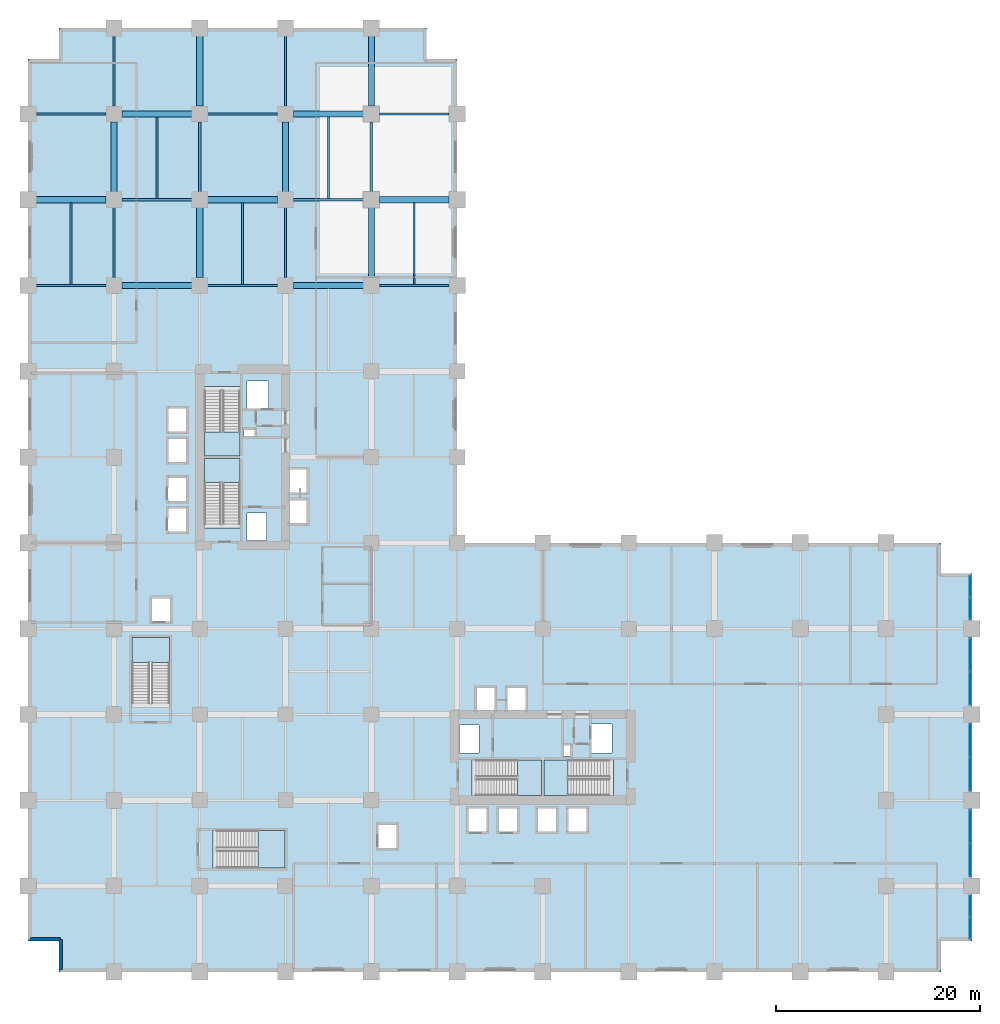
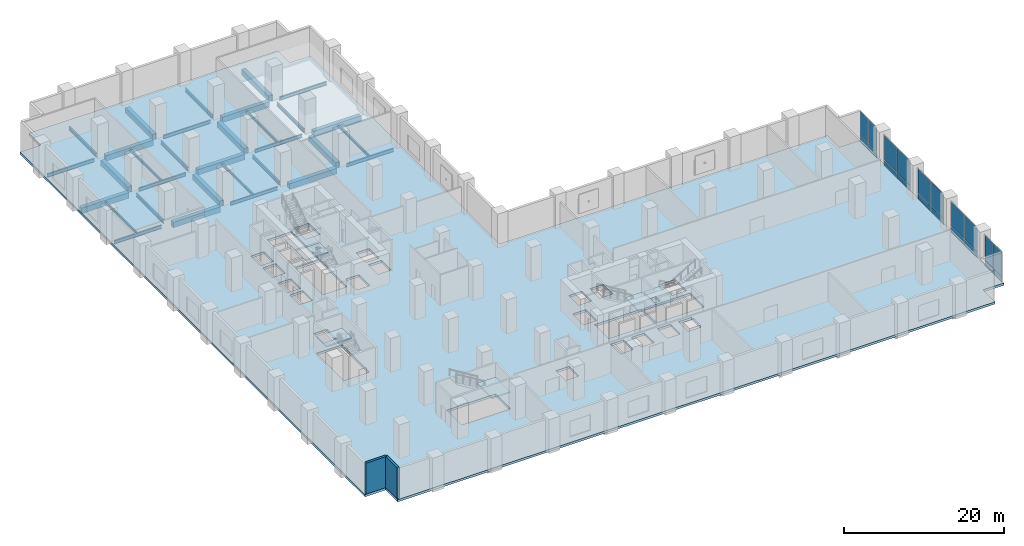
# One storey, part 8 of 23: 32 beams, 20 plates, 7 slabs, 2 walls, 11 elements without a shape of their own.
"""IFC4 building model written with IfcOpenShell, lengths in metres."""

from ifc_helpers import new_model, si_unit, direction, frame, frame_2d, origin, origin_2d, place, context, subcontext, project, spatial, polyline, rectangle, i_section, outline, extrude, material, layer, layer_set, material_profile, profile_set, type_object, element, aggregate, save


model = new_model("IFC4")

# Units and contexts
model_context = context("Model", 3, precision=1e-05, world=origin(), true_north=direction((0.0, 1.0)))
body_context = subcontext(model_context, "Body", "Model", "MODEL_VIEW")
ifc_project = project(units=[si_unit("LENGTHUNIT", "METRE"), si_unit("AREAUNIT", "SQUARE_METRE"), si_unit("VOLUMEUNIT", "CUBIC_METRE"), si_unit("PLANEANGLEUNIT", "RADIAN"), si_unit("MASSUNIT", "GRAM", prefix="KILO")], contexts=[model_context])

# Site, building, storey
site_placement = place(None, origin())
site = spatial("IfcSite", under=ifc_project, at=site_placement, CompositionType="ELEMENT")
building_placement = place(site_placement, origin())
building = spatial("IfcBuilding", under=site, at=building_placement, Name="Koriwani Terraces Tower", CompositionType="ELEMENT")
storey_placement = place(building_placement, frame((0.0, 0.0, 20.800048828125)))
storey = spatial("IfcBuildingStorey", under=building, at=storey_placement, Name="L04", CompositionType="ELEMENT", Elevation=20.800048828125)

# Beams
ifc_material_1 = material(Name="Concrete C60/75", Category="concrete")
ifc_material_profile_1 = material_profile(ifc_material_1, rectangle(XDim=0.60009765625, YDim=0.85009765625, at=origin_2d()), Name="Concrete C60/75", Category="LoadBearing")
ifc_profile_set_1 = profile_set([ifc_material_profile_1], Name="Concrete C60/75")
beam_type_1 = type_object("IfcBeamType", Name="BEAM_RC_GRID_600X850", PredefinedType="BEAM", material=ifc_profile_set_1)
for number, where, z_axis, x_axis, name in (
    (1, (9.179931640625, 67.199951171875, -0.775146484375), (1.0, 0.0, 0.0), (0.0, 1.0, 0.0), "L04 Grid Beam I (8.4-16.8m)"),
    (2, (25.97998046875, 67.199951171875, -0.775146484375), (1.0, 0.0, 0.0), (0.0, 1.0, 0.0), "L04 Grid Beam I (25.2-33.6m)"),
    (3, (0.780029296875, 75.60009765625, -0.775146484375), (1.0, 0.0, 0.0), (0.0, 1.0, 0.0), "L04 Grid Beam J (0.0-8.4m)"),
):
    element("IfcBeam", number, at=place(storey_placement, frame(where, z_axis=z_axis, x_axis=x_axis)), inside=storey, type_object=beam_type_1, Name=name, PredefinedType="BEAM", context=body_context, shape_type="SweptSolid", body=[
        extrude(rectangle(XDim=0.60009765625, YDim=0.85009765625, at=origin_2d()), origin(), (0.0, 0.0, 1.0), 6.840087890625),
    ])
beam_1_placement = place(storey_placement, frame((17.580078125, 75.60009765625, -0.775146484375), z_axis=(1.0, 0.0, 0.0), x_axis=(0.0, 1.0, 0.0)))
element("IfcBeam", 4, at=beam_1_placement, inside=storey, type_object=beam_type_1, Name="L04 Grid Beam J (16.8-25.2m)", PredefinedType="BEAM", context=body_context, shape_type="SweptSolid", body=[
    extrude(rectangle(XDim=0.60009765625, YDim=0.85009765625, at=origin_2d()), origin(), (0.0, 0.0, 1.0), 6.83984375),
])
for number, where, z_axis, x_axis, name in (
    (5, (34.3798828125, 75.60009765625, -0.775146484375), (1.0, 0.0, 0.0), (0.0, 1.0, 0.0), "L04 Grid Beam J (33.6-42.0m)"),
    (6, (9.179931640625, 84.0, -0.775146484375), (1.0, 0.0, 0.0), (0.0, 1.0, 0.0), "L04 Grid Beam K (8.4-16.8m)"),
    (7, (25.97998046875, 84.0, -0.775146484375), (1.0, 0.0, 0.0), (0.0, 1.0, 0.0), "L04 Grid Beam K (25.2-33.6m)"),
    (8, (8.39990234375, 76.3798828125, -0.775146484375), (0.0, 1.0, 0.0), (-1.0, 0.0, 0.0), "L04 Grid Beam 2 (75.6-84.0m)"),
    (9, (16.800048828125, 67.97998046875, -0.775146484375), (0.0, 1.0, 0.0), (-1.0, 0.0, 0.0), "L04 Grid Beam 3 (67.2-75.6m)"),
    (10, (16.800048828125, 84.780029296875, -0.775146484375), (0.0, 1.0, 0.0), (-1.0, 0.0, 0.0), "L04 Grid Beam 3 (84.0-92.4m)"),
    (11, (25.199951171875, 76.3798828125, -0.775146484375), (0.0, 1.0, 0.0), (-1.0, 0.0, 0.0), "L04 Grid Beam 4 (75.6-84.0m)"),
    (12, (33.60009765625, 67.97998046875, -0.775146484375), (0.0, 1.0, 0.0), (-1.0, 0.0, 0.0), "L04 Grid Beam 5 (67.2-75.6m)"),
    (13, (33.60009765625, 84.780029296875, -0.775146484375), (0.0, 1.0, 0.0), (-1.0, 0.0, 0.0), "L04 Grid Beam 5 (84.0-92.4m)"),
):
    element("IfcBeam", number, at=place(storey_placement, frame(where, z_axis=z_axis, x_axis=x_axis)), inside=storey, type_object=beam_type_1, Name=name, PredefinedType="BEAM", context=body_context, shape_type="SweptSolid", body=[
        extrude(rectangle(XDim=0.60009765625, YDim=0.85009765625, at=origin_2d()), origin(), (0.0, 0.0, 1.0), 6.840087890625),
    ])
ifc_material_2 = material(Name="Steel ASTM A572 Grade 50", Category="steel")
ifc_material_profile_2 = material_profile(ifc_material_2, i_section(OverallWidth=0.180908203125, OverallDepth=0.4169921875, WebThickness=0.010986328125, FlangeThickness=0.018310546875, at=origin_2d()), Name="Steel ASTM A572 Grade 50", Category="LoadBearing")
ifc_profile_set_2 = profile_set([ifc_material_profile_2], Name="Steel ASTM A572 Grade 50")
beam_type_2 = type_object("IfcBeamType", Name="STEEL_BEAM_W410X85", PredefinedType="JOIST", material=ifc_profile_set_2)
beam_2_placement = place(storey_placement, frame((4.199951171875, 67.2958984375, -0.55859375), z_axis=(0.0, 1.0, 0.0), x_axis=(-1.0, 0.0, 0.0)))
element("IfcBeam", 14, at=beam_2_placement, inside=storey, type_object=beam_type_2, Name="L04 Secondary Steel Floor Joist X=4.2m", PredefinedType="JOIST", context=body_context, shape_type="SweptSolid", body=[
    extrude(i_section(OverallWidth=0.180908203125, OverallDepth=0.4169921875, WebThickness=0.010986328125, FlangeThickness=0.018310546875, at=origin_2d()), origin(), (0.0, 0.0, 1.0), 8.01416015625),
])
beam_3_placement = place(storey_placement, frame((12.60009765625, 75.696044921875, -0.55859375), z_axis=(0.0, 1.0, 0.0), x_axis=(-1.0, 0.0, 0.0)))
element("IfcBeam", 15, at=beam_3_placement, inside=storey, type_object=beam_type_2, Name="L04 Secondary Steel Floor Joist X=12.6m", PredefinedType="JOIST", context=body_context, shape_type="SweptSolid", body=[
    extrude(i_section(OverallWidth=0.180908203125, OverallDepth=0.4169921875, WebThickness=0.010986328125, FlangeThickness=0.018310546875, at=origin_2d()), origin(), (0.0, 0.0, 1.0), 8.013916015625),
])
beam_4_placement = place(storey_placement, frame((21.0, 67.2958984375, -0.55859375), z_axis=(0.0, 1.0, 0.0), x_axis=(-1.0, 0.0, 0.0)))
element("IfcBeam", 16, at=beam_4_placement, inside=storey, type_object=beam_type_2, Name="L04 Secondary Steel Floor Joist X=21.0m", PredefinedType="JOIST", context=body_context, shape_type="SweptSolid", body=[
    extrude(i_section(OverallWidth=0.180908203125, OverallDepth=0.4169921875, WebThickness=0.010986328125, FlangeThickness=0.018310546875, at=origin_2d()), origin(), (0.0, 0.0, 1.0), 8.01416015625),
])
beam_5_placement = place(storey_placement, frame((29.39990234375, 75.696044921875, -0.55859375), z_axis=(0.0, 1.0, 0.0), x_axis=(-1.0, 0.0, 0.0)))
element("IfcBeam", 17, at=beam_5_placement, inside=storey, type_object=beam_type_2, Name="L04 Secondary Steel Floor Joist X=29.4m", PredefinedType="JOIST", context=body_context, shape_type="SweptSolid", body=[
    extrude(i_section(OverallWidth=0.180908203125, OverallDepth=0.4169921875, WebThickness=0.010986328125, FlangeThickness=0.018310546875, at=origin_2d()), origin(), (0.0, 0.0, 1.0), 8.013916015625),
])
beam_6_placement = place(storey_placement, frame((37.800048828125, 67.2958984375, -0.55859375), z_axis=(0.0, 1.0, 0.0), x_axis=(-1.0, 0.0, 0.0)))
element("IfcBeam", 18, at=beam_6_placement, inside=storey, type_object=beam_type_2, Name="L04 Secondary Steel Floor Joist X=37.8m", PredefinedType="JOIST", context=body_context, shape_type="SweptSolid", body=[
    extrude(i_section(OverallWidth=0.180908203125, OverallDepth=0.4169921875, WebThickness=0.010986328125, FlangeThickness=0.018310546875, at=origin_2d()), origin(), (0.0, 0.0, 1.0), 8.01416015625),
])
ifc_material_profile_3 = material_profile(ifc_material_2, i_section(OverallWidth=0.2119140625, OverallDepth=0.54296875, WebThickness=0.0126953125, FlangeThickness=0.021240234375, at=origin_2d()), Name="Steel ASTM A572 Grade 50", Category="LoadBearing")
ifc_profile_set_3 = profile_set([ifc_material_profile_3], Name="Steel ASTM A572 Grade 50")
beam_type_3 = type_object("IfcBeamType", Name="STEEL_BEAM_W530X150", PredefinedType="BEAM", material=ifc_profile_set_3)
beam_7_placement = place(storey_placement, frame((0.780029296875, 67.199951171875, -0.62158203125), z_axis=(1.0, 0.0, 0.0), x_axis=(0.0, 1.0, 0.0)))
element("IfcBeam", 19, at=beam_7_placement, inside=storey, type_object=beam_type_3, Name="L04 Grid Beam I (0.0-8.4m)", PredefinedType="BEAM", context=body_context, shape_type="SweptSolid", body=[
    extrude(i_section(OverallWidth=0.2119140625, OverallDepth=0.54296875, WebThickness=0.0126953125, FlangeThickness=0.021240234375, at=origin_2d()), origin(), (0.0, 0.0, 1.0), 6.840087890625),
])
beam_8_placement = place(storey_placement, frame((17.580078125, 67.199951171875, -0.62158203125), z_axis=(1.0, 0.0, 0.0), x_axis=(0.0, 1.0, 0.0)))
element("IfcBeam", 20, at=beam_8_placement, inside=storey, type_object=beam_type_3, Name="L04 Grid Beam I (16.8-25.2m)", PredefinedType="BEAM", context=body_context, shape_type="SweptSolid", body=[
    extrude(i_section(OverallWidth=0.2119140625, OverallDepth=0.54296875, WebThickness=0.0126953125, FlangeThickness=0.021240234375, at=origin_2d()), origin(), (0.0, 0.0, 1.0), 6.83984375),
])
for number, where, z_axis, x_axis, name in (
    (21, (34.3798828125, 67.199951171875, -0.62158203125), (1.0, 0.0, 0.0), (0.0, 1.0, 0.0), "L04 Grid Beam I (33.6-42.0m)"),
    (22, (9.179931640625, 75.60009765625, -0.62158203125), (1.0, 0.0, 0.0), (0.0, 1.0, 0.0), "L04 Grid Beam J (8.4-16.8m)"),
    (23, (25.97998046875, 75.60009765625, -0.62158203125), (1.0, 0.0, 0.0), (0.0, 1.0, 0.0), "L04 Grid Beam J (25.2-33.6m)"),
    (24, (0.780029296875, 84.0, -0.62158203125), (1.0, 0.0, 0.0), (0.0, 1.0, 0.0), "L04 Grid Beam K (0.0-8.4m)"),
):
    element("IfcBeam", number, at=place(storey_placement, frame(where, z_axis=z_axis, x_axis=x_axis)), inside=storey, type_object=beam_type_3, Name=name, PredefinedType="BEAM", context=body_context, shape_type="SweptSolid", body=[
        extrude(i_section(OverallWidth=0.2119140625, OverallDepth=0.54296875, WebThickness=0.0126953125, FlangeThickness=0.021240234375, at=origin_2d()), origin(), (0.0, 0.0, 1.0), 6.840087890625),
    ])
beam_9_placement = place(storey_placement, frame((17.580078125, 84.0, -0.62158203125), z_axis=(1.0, 0.0, 0.0), x_axis=(0.0, 1.0, 0.0)))
element("IfcBeam", 25, at=beam_9_placement, inside=storey, type_object=beam_type_3, Name="L04 Grid Beam K (16.8-25.2m)", PredefinedType="BEAM", context=body_context, shape_type="SweptSolid", body=[
    extrude(i_section(OverallWidth=0.2119140625, OverallDepth=0.54296875, WebThickness=0.0126953125, FlangeThickness=0.021240234375, at=origin_2d()), origin(), (0.0, 0.0, 1.0), 6.83984375),
])
for number, where, z_axis, x_axis, name in (
    (26, (34.3798828125, 84.0, -0.62158203125), (1.0, 0.0, 0.0), (0.0, 1.0, 0.0), "L04 Grid Beam K (33.6-42.0m)"),
    (27, (8.39990234375, 67.97998046875, -0.62158203125), (0.0, 1.0, 0.0), (-1.0, 0.0, 0.0), "L04 Grid Beam 2 (67.2-75.6m)"),
    (28, (8.39990234375, 84.780029296875, -0.62158203125), (0.0, 1.0, 0.0), (-1.0, 0.0, 0.0), "L04 Grid Beam 2 (84.0-92.4m)"),
    (29, (16.800048828125, 76.3798828125, -0.62158203125), (0.0, 1.0, 0.0), (-1.0, 0.0, 0.0), "L04 Grid Beam 3 (75.6-84.0m)"),
    (30, (25.199951171875, 67.97998046875, -0.62158203125), (0.0, 1.0, 0.0), (-1.0, 0.0, 0.0), "L04 Grid Beam 4 (67.2-75.6m)"),
    (31, (25.199951171875, 84.780029296875, -0.62158203125), (0.0, 1.0, 0.0), (-1.0, 0.0, 0.0), "L04 Grid Beam 4 (84.0-92.4m)"),
    (32, (33.60009765625, 76.3798828125, -0.62158203125), (0.0, 1.0, 0.0), (-1.0, 0.0, 0.0), "L04 Grid Beam 5 (75.6-84.0m)"),
):
    element("IfcBeam", number, at=place(storey_placement, frame(where, z_axis=z_axis, x_axis=x_axis)), inside=storey, type_object=beam_type_3, Name=name, PredefinedType="BEAM", context=body_context, shape_type="SweptSolid", body=[
        extrude(i_section(OverallWidth=0.2119140625, OverallDepth=0.54296875, WebThickness=0.0126953125, FlangeThickness=0.021240234375, at=origin_2d()), origin(), (0.0, 0.0, 1.0), 6.840087890625),
    ])

# Curtain wall, plates
ifc_material_3 = material(Name="Anodised Bronze Aluminium", Category="aluminium")
ifc_layer_1 = layer(ifc_material_3, 0.199951171875, Name="Anodised Bronze Aluminium")
ifc_layer_set_1 = layer_set([ifc_layer_1], Name="Anodised Bronze Aluminium")
curtain_wall_type = type_object("IfcCurtainWallType", Name="CW_PODIUM_GALLERIA", PredefinedType="NOTDEFINED", material=ifc_layer_set_1)
curtain_wall_1_placement = place(storey_placement, origin())
curtain_wall_1 = element("IfcCurtainWall", 33, at=curtain_wall_1_placement, inside=storey, type_object=curtain_wall_type, Name="L04 Unitised Curtain Wall (E_TIP) Bay 1", PredefinedType="NOTDEFINED")
ifc_material_4 = material(Name="Tempered Laminated Low-E Glass", Category="glass")
ifc_layer_2 = layer(ifc_material_4, 0.028076171875, Name="Tempered Laminated Low-E Glass")
ifc_layer_set_2 = layer_set([ifc_layer_2], Name="Tempered Laminated Low-E Glass")
plate_type = type_object("IfcPlateType", Name="CW_PANEL_VISION_28", PredefinedType="CURTAIN_PANEL", material=ifc_layer_set_2)
plate_1_placement = place(storey_placement, frame((92.22509765625, 37.71240234375, 0.06494140625), z_axis=(0.0, 0.0, 1.0), x_axis=(0.0, -1.0, 0.0)))
plate_1 = element("IfcPlate", 34, at=plate_1_placement, type_object=plate_type, Name="CW-POD panel 1.1", PredefinedType="CURTAIN_PANEL", context=body_context, shape_type="SweptSolid", body=[
    extrude(rectangle(XDim=2.054931640625, YDim=0.028076171875, at=origin_2d()), origin(), (0.0, 0.0, 1.0), 0.802490234375),
])
plate_2_placement = place(storey_placement, frame((92.22509765625, 37.71240234375, 0.932373046875), z_axis=(0.0, 0.0, 1.0), x_axis=(0.0, -1.0, 0.0)))
plate_2 = element("IfcPlate", 35, at=plate_2_placement, type_object=plate_type, Name="CW-POD panel 1.2", PredefinedType="CURTAIN_PANEL", context=body_context, shape_type="SweptSolid", body=[
    extrude(rectangle(XDim=2.054931640625, YDim=0.028076171875, at=origin_2d()), origin(), (0.0, 0.0, 1.0), 3.75244140625),
])
plate_3_placement = place(storey_placement, frame((92.22509765625, 35.572509765625, 0.06494140625), z_axis=(0.0, 0.0, 1.0), x_axis=(0.0, -1.0, 0.0)))
plate_3 = element("IfcPlate", 36, at=plate_3_placement, type_object=plate_type, Name="CW-POD panel 2.1", PredefinedType="CURTAIN_PANEL", context=body_context, shape_type="SweptSolid", body=[
    extrude(rectangle(XDim=2.054931640625, YDim=0.028076171875, at=origin_2d()), origin(), (0.0, 0.0, 1.0), 0.802490234375),
])
plate_4_placement = place(storey_placement, frame((92.22509765625, 35.572509765625, 0.932373046875), z_axis=(0.0, 0.0, 1.0), x_axis=(0.0, -1.0, 0.0)))
plate_4 = element("IfcPlate", 37, at=plate_4_placement, type_object=plate_type, Name="CW-POD panel 2.2", PredefinedType="CURTAIN_PANEL", context=body_context, shape_type="SweptSolid", body=[
    extrude(rectangle(XDim=2.054931640625, YDim=0.028076171875, at=origin_2d()), origin(), (0.0, 0.0, 1.0), 3.75244140625),
])
aggregate(curtain_wall_1, [plate_1, plate_2, plate_3, plate_4])

curtain_wall_2_placement = place(storey_placement, origin())
curtain_wall_2 = element("IfcCurtainWall", 38, at=curtain_wall_2_placement, inside=storey, type_object=curtain_wall_type, Name="L04 Unitised Curtain Wall (E_TIP) Bay 2", PredefinedType="NOTDEFINED")
plate_5_placement = place(storey_placement, frame((92.22509765625, 31.048828125, 0.06494140625), z_axis=(0.0, 0.0, 1.0), x_axis=(0.0, -1.0, 0.0)))
plate_5 = element("IfcPlate", 39, at=plate_5_placement, type_object=plate_type, Name="CW-POD panel 1.1", PredefinedType="CURTAIN_PANEL", context=body_context, shape_type="SweptSolid", body=[
    extrude(rectangle(XDim=3.21240234375, YDim=0.028076171875, at=origin_2d()), origin(), (0.0, 0.0, 1.0), 0.802490234375),
])
plate_6_placement = place(storey_placement, frame((92.22509765625, 31.048828125, 0.932373046875), z_axis=(0.0, 0.0, 1.0), x_axis=(0.0, -1.0, 0.0)))
plate_6 = element("IfcPlate", 40, at=plate_6_placement, type_object=plate_type, Name="CW-POD panel 1.2", PredefinedType="CURTAIN_PANEL", context=body_context, shape_type="SweptSolid", body=[
    extrude(rectangle(XDim=3.21240234375, YDim=0.028076171875, at=origin_2d()), origin(), (0.0, 0.0, 1.0), 3.75244140625),
])
plate_7_placement = place(storey_placement, frame((92.22509765625, 27.751220703125, 0.06494140625), z_axis=(0.0, 0.0, 1.0), x_axis=(0.0, -1.0, 0.0)))
plate_7 = element("IfcPlate", 41, at=plate_7_placement, type_object=plate_type, Name="CW-POD panel 2.1", PredefinedType="CURTAIN_PANEL", context=body_context, shape_type="SweptSolid", body=[
    extrude(rectangle(XDim=3.21240234375, YDim=0.028076171875, at=origin_2d()), origin(), (0.0, 0.0, 1.0), 0.802490234375),
])
plate_8_placement = place(storey_placement, frame((92.22509765625, 27.751220703125, 0.932373046875), z_axis=(0.0, 0.0, 1.0), x_axis=(0.0, -1.0, 0.0)))
plate_8 = element("IfcPlate", 42, at=plate_8_placement, type_object=plate_type, Name="CW-POD panel 2.2", PredefinedType="CURTAIN_PANEL", context=body_context, shape_type="SweptSolid", body=[
    extrude(rectangle(XDim=3.21240234375, YDim=0.028076171875, at=origin_2d()), origin(), (0.0, 0.0, 1.0), 3.75244140625),
])
aggregate(curtain_wall_2, [plate_5, plate_6, plate_7, plate_8])

curtain_wall_3_placement = place(storey_placement, origin())
curtain_wall_3 = element("IfcCurtainWall", 43, at=curtain_wall_3_placement, inside=storey, type_object=curtain_wall_type, Name="L04 Unitised Curtain Wall (E_TIP) Bay 3", PredefinedType="NOTDEFINED")
plate_9_placement = place(storey_placement, frame((92.22509765625, 22.648681640625, 0.06494140625), z_axis=(0.0, 0.0, 1.0), x_axis=(0.0, -1.0, 0.0)))
plate_9 = element("IfcPlate", 44, at=plate_9_placement, type_object=plate_type, Name="CW-POD panel 1.1", PredefinedType="CURTAIN_PANEL", context=body_context, shape_type="SweptSolid", body=[
    extrude(rectangle(XDim=3.21240234375, YDim=0.028076171875, at=origin_2d()), origin(), (0.0, 0.0, 1.0), 0.802490234375),
])
plate_10_placement = place(storey_placement, frame((92.22509765625, 22.648681640625, 0.932373046875), z_axis=(0.0, 0.0, 1.0), x_axis=(0.0, -1.0, 0.0)))
plate_10 = element("IfcPlate", 45, at=plate_10_placement, type_object=plate_type, Name="CW-POD panel 1.2", PredefinedType="CURTAIN_PANEL", context=body_context, shape_type="SweptSolid", body=[
    extrude(rectangle(XDim=3.21240234375, YDim=0.028076171875, at=origin_2d()), origin(), (0.0, 0.0, 1.0), 3.75244140625),
])
plate_11_placement = place(storey_placement, frame((92.22509765625, 19.351318359375, 0.06494140625), z_axis=(0.0, 0.0, 1.0), x_axis=(0.0, -1.0, 0.0)))
plate_11 = element("IfcPlate", 46, at=plate_11_placement, type_object=plate_type, Name="CW-POD panel 2.1", PredefinedType="CURTAIN_PANEL", context=body_context, shape_type="SweptSolid", body=[
    extrude(rectangle(XDim=3.21240234375, YDim=0.028076171875, at=origin_2d()), origin(), (0.0, 0.0, 1.0), 0.802490234375),
])
plate_12_placement = place(storey_placement, frame((92.22509765625, 19.351318359375, 0.932373046875), z_axis=(0.0, 0.0, 1.0), x_axis=(0.0, -1.0, 0.0)))
plate_12 = element("IfcPlate", 47, at=plate_12_placement, type_object=plate_type, Name="CW-POD panel 2.2", PredefinedType="CURTAIN_PANEL", context=body_context, shape_type="SweptSolid", body=[
    extrude(rectangle(XDim=3.21240234375, YDim=0.028076171875, at=origin_2d()), origin(), (0.0, 0.0, 1.0), 3.75244140625),
])
aggregate(curtain_wall_3, [plate_9, plate_10, plate_11, plate_12])

curtain_wall_4_placement = place(storey_placement, origin())
curtain_wall_4 = element("IfcCurtainWall", 48, at=curtain_wall_4_placement, inside=storey, type_object=curtain_wall_type, Name="L04 Unitised Curtain Wall (E_TIP) Bay 4", PredefinedType="NOTDEFINED")
plate_13_placement = place(storey_placement, frame((92.22509765625, 14.248779296875, 0.06494140625), z_axis=(0.0, 0.0, 1.0), x_axis=(0.0, -1.0, 0.0)))
plate_13 = element("IfcPlate", 49, at=plate_13_placement, type_object=plate_type, Name="CW-POD panel 1.1", PredefinedType="CURTAIN_PANEL", context=body_context, shape_type="SweptSolid", body=[
    extrude(rectangle(XDim=3.21240234375, YDim=0.028076171875, at=origin_2d()), origin(), (0.0, 0.0, 1.0), 0.802490234375),
])
plate_14_placement = place(storey_placement, frame((92.22509765625, 14.248779296875, 0.932373046875), z_axis=(0.0, 0.0, 1.0), x_axis=(0.0, -1.0, 0.0)))
plate_14 = element("IfcPlate", 50, at=plate_14_placement, type_object=plate_type, Name="CW-POD panel 1.2", PredefinedType="CURTAIN_PANEL", context=body_context, shape_type="SweptSolid", body=[
    extrude(rectangle(XDim=3.21240234375, YDim=0.028076171875, at=origin_2d()), origin(), (0.0, 0.0, 1.0), 3.75244140625),
])
plate_15_placement = place(storey_placement, frame((92.22509765625, 10.951171875, 0.06494140625), z_axis=(0.0, 0.0, 1.0), x_axis=(0.0, -1.0, 0.0)))
plate_15 = element("IfcPlate", 51, at=plate_15_placement, type_object=plate_type, Name="CW-POD panel 2.1", PredefinedType="CURTAIN_PANEL", context=body_context, shape_type="SweptSolid", body=[
    extrude(rectangle(XDim=3.21240234375, YDim=0.028076171875, at=origin_2d()), origin(), (0.0, 0.0, 1.0), 0.802490234375),
])
plate_16_placement = place(storey_placement, frame((92.22509765625, 10.951171875, 0.932373046875), z_axis=(0.0, 0.0, 1.0), x_axis=(0.0, -1.0, 0.0)))
plate_16 = element("IfcPlate", 52, at=plate_16_placement, type_object=plate_type, Name="CW-POD panel 2.2", PredefinedType="CURTAIN_PANEL", context=body_context, shape_type="SweptSolid", body=[
    extrude(rectangle(XDim=3.21240234375, YDim=0.028076171875, at=origin_2d()), origin(), (0.0, 0.0, 1.0), 3.75244140625),
])
aggregate(curtain_wall_4, [plate_13, plate_14, plate_15, plate_16])

curtain_wall_5_placement = place(storey_placement, origin())
curtain_wall_5 = element("IfcCurtainWall", 53, at=curtain_wall_5_placement, inside=storey, type_object=curtain_wall_type, Name="L04 Unitised Curtain Wall (E_TIP) Bay 5", PredefinedType="NOTDEFINED")
plate_17_placement = place(storey_placement, frame((92.22509765625, 6.427490234375, 0.06494140625), z_axis=(0.0, 0.0, 1.0), x_axis=(0.0, -1.0, 0.0)))
plate_17 = element("IfcPlate", 54, at=plate_17_placement, type_object=plate_type, Name="CW-POD panel 1.1", PredefinedType="CURTAIN_PANEL", context=body_context, shape_type="SweptSolid", body=[
    extrude(rectangle(XDim=2.054931640625, YDim=0.028076171875, at=origin_2d()), origin(), (0.0, 0.0, 1.0), 0.802490234375),
])
plate_18_placement = place(storey_placement, frame((92.22509765625, 6.427490234375, 0.932373046875), z_axis=(0.0, 0.0, 1.0), x_axis=(0.0, -1.0, 0.0)))
plate_18 = element("IfcPlate", 55, at=plate_18_placement, type_object=plate_type, Name="CW-POD panel 1.2", PredefinedType="CURTAIN_PANEL", context=body_context, shape_type="SweptSolid", body=[
    extrude(rectangle(XDim=2.054931640625, YDim=0.028076171875, at=origin_2d()), origin(), (0.0, 0.0, 1.0), 3.75244140625),
])
plate_19_placement = place(storey_placement, frame((92.22509765625, 4.28759765625, 0.06494140625), z_axis=(0.0, 0.0, 1.0), x_axis=(0.0, -1.0, 0.0)))
plate_19 = element("IfcPlate", 56, at=plate_19_placement, type_object=plate_type, Name="CW-POD panel 2.1", PredefinedType="CURTAIN_PANEL", context=body_context, shape_type="SweptSolid", body=[
    extrude(rectangle(XDim=2.054931640625, YDim=0.028076171875, at=origin_2d()), origin(), (0.0, 0.0, 1.0), 0.802490234375),
])
plate_20_placement = place(storey_placement, frame((92.22509765625, 4.28759765625, 0.932373046875), z_axis=(0.0, 0.0, 1.0), x_axis=(0.0, -1.0, 0.0)))
plate_20 = element("IfcPlate", 57, at=plate_20_placement, type_object=plate_type, Name="CW-POD panel 2.2", PredefinedType="CURTAIN_PANEL", context=body_context, shape_type="SweptSolid", body=[
    extrude(rectangle(XDim=2.054931640625, YDim=0.028076171875, at=origin_2d()), origin(), (0.0, 0.0, 1.0), 3.75244140625),
])
aggregate(curtain_wall_5, [plate_17, plate_18, plate_19, plate_20])

# Slab
ifc_material_5 = material(Name="Concrete C50/60", Category="concrete")
ifc_layer_3 = layer(ifc_material_5, 0.35009765625, Name="Concrete C50/60")
ifc_layer_set_3 = layer_set([ifc_layer_3], Name="Concrete C50/60")
slab_type_1 = type_object("IfcSlabType", Name="SLAB_PODIUM_350", PredefinedType="FLOOR", material=ifc_layer_set_3)
slab_1_placement = place(storey_placement, frame((0.0, 0.0, -0.35009765625)))
element("IfcSlab", 58, at=slab_1_placement, inside=storey, type_object=slab_type_1, Name="L04 Structural Floor Slab", PredefinedType="FLOOR", context=body_context, shape_type="SweptSolid", body=[
    extrude(outline(polyline([(3.0, 0.0), (89.39990234375, 0.0), (89.39990234375, 3.0), (92.39990234375, 3.0), (92.39990234375, 39.0), (89.39990234375, 39.0), (89.39990234375, 42.0), (42.0, 42.0), (42.0, 89.39990234375), (39.0, 89.39990234375), (39.0, 92.39990234375), (3.0, 92.39990234375), (3.0, 89.39990234375), (0.0, 89.39990234375), (0.0, 3.0), (3.0, 3.0), (3.0, 0.0)]), holes=[polyline([(17.25, 43.4599609375), (20.75, 43.4599609375), (20.75, 50.25), (17.25, 50.25), (17.25, 43.4599609375)]), polyline([(17.25, 50.5), (20.75, 50.5), (20.75, 57.2900390625), (17.25, 57.2900390625), (17.25, 50.5)]), polyline([(43.4599609375, 17.25), (50.25, 17.25), (50.25, 20.75), (43.4599609375, 20.75), (43.4599609375, 17.25)]), polyline([(50.5, 17.25), (57.2900390625, 17.25), (57.2900390625, 20.75), (50.5, 20.75), (50.5, 17.25)]), polyline([(10.14990234375, 25.909912109375), (13.85009765625, 25.909912109375), (13.85009765625, 32.75), (10.14990234375, 32.75), (10.14990234375, 25.909912109375)]), polyline([(18.110107421875, 10.14990234375), (25.14990234375, 10.14990234375), (25.14990234375, 13.85009765625), (18.110107421875, 13.85009765625), (18.110107421875, 10.14990234375)]), polyline([(12.050048828125, 34.25), (13.949951171875, 34.25), (13.949951171875, 36.64990234375), (12.050048828125, 36.64990234375), (12.050048828125, 34.25)]), polyline([(34.25, 12.050048828125), (36.14990234375, 12.050048828125), (36.14990234375, 14.449951171875), (34.25, 14.449951171875), (34.25, 12.050048828125)]), polyline([(13.64990234375, 43.050048828125), (15.550048828125, 43.050048828125), (15.550048828125, 45.449951171875), (13.64990234375, 45.449951171875), (13.64990234375, 43.050048828125)]), polyline([(13.64990234375, 46.050048828125), (15.550048828125, 46.050048828125), (15.550048828125, 48.449951171875), (13.64990234375, 48.449951171875), (13.64990234375, 46.050048828125)]), polyline([(43.050048828125, 13.64990234375), (44.949951171875, 13.64990234375), (44.949951171875, 16.050048828125), (43.050048828125, 16.050048828125), (43.050048828125, 13.64990234375)]), polyline([(46.050048828125, 13.64990234375), (47.949951171875, 13.64990234375), (47.949951171875, 16.050048828125), (46.050048828125, 16.050048828125), (46.050048828125, 13.64990234375)]), polyline([(13.64990234375, 49.85009765625), (15.550048828125, 49.85009765625), (15.550048828125, 52.25), (13.64990234375, 52.25), (13.64990234375, 49.85009765625)]), polyline([(13.64990234375, 52.85009765625), (15.550048828125, 52.85009765625), (15.550048828125, 55.25), (13.64990234375, 55.25), (13.64990234375, 52.85009765625)]), polyline([(49.85009765625, 13.64990234375), (51.75, 13.64990234375), (51.75, 16.050048828125), (49.85009765625, 16.050048828125), (49.85009765625, 13.64990234375)]), polyline([(52.85009765625, 13.64990234375), (54.75, 13.64990234375), (54.75, 16.050048828125), (52.85009765625, 16.050048828125), (52.85009765625, 13.64990234375)]), polyline([(25.449951171875, 43.85009765625), (27.35009765625, 43.85009765625), (27.35009765625, 46.25), (25.449951171875, 46.25), (25.449951171875, 43.85009765625)]), polyline([(25.449951171875, 46.85009765625), (27.35009765625, 46.85009765625), (27.35009765625, 49.25), (25.449951171875, 49.25), (25.449951171875, 46.85009765625)]), polyline([(43.85009765625, 25.449951171875), (45.75, 25.449951171875), (45.75, 27.85009765625), (43.85009765625, 27.85009765625), (43.85009765625, 25.449951171875)]), polyline([(46.85009765625, 25.449951171875), (48.75, 25.449951171875), (48.75, 27.85009765625), (46.85009765625, 27.85009765625), (46.85009765625, 25.449951171875)]), polyline([(21.449951171875, 55.050048828125), (23.550048828125, 55.050048828125), (23.550048828125, 57.85009765625), (21.449951171875, 57.85009765625), (21.449951171875, 55.050048828125)]), polyline([(55.050048828125, 21.449951171875), (57.14990234375, 21.449951171875), (57.14990234375, 24.25), (55.050048828125, 24.25), (55.050048828125, 21.449951171875)]), polyline([(21.449951171875, 42.25), (23.35009765625, 42.25), (23.35009765625, 44.949951171875), (21.449951171875, 44.949951171875), (21.449951171875, 42.25)]), polyline([(42.25, 21.449951171875), (44.14990234375, 21.449951171875), (44.14990234375, 24.14990234375), (42.25, 24.14990234375), (42.25, 21.449951171875)]), polyline([(21.14990234375, 52.419921875), (22.219970703125, 52.419921875), (22.219970703125, 53.179931640625), (21.14990234375, 53.179931640625), (21.14990234375, 52.419921875)]), polyline([(52.419921875, 21.14990234375), (53.179931640625, 21.14990234375), (53.179931640625, 22.219970703125), (52.419921875, 22.219970703125), (52.419921875, 21.14990234375)])]), origin(), (0.0, 0.0, 1.0), 0.35009765625),
])

# Stair, slab
ifc_material_6 = material(Name="Concrete C40/50", Category="concrete")
stair_type_1 = type_object("IfcStairType", Name="STAIR_CORE_DOGLEG_1650", PredefinedType="TWO_STRAIGHT_RUN_STAIR", material=ifc_material_6)
stair_1_placement = place(storey_placement, origin())
stair_1 = element("IfcStair", 59, at=stair_1_placement, inside=storey, type_object=stair_type_1, Name="L04 West Core Exit Stair 1", PredefinedType="HALF_TURN_STAIR")
ifc_layer_4 = layer(ifc_material_6, 0.199951171875, Name="Concrete C40/50")
ifc_layer_set_4 = layer_set([ifc_layer_4], Name="Concrete C40/50")
slab_type_2 = type_object("IfcSlabType", Name="SLAB_STAIR_LANDING_200", PredefinedType="LANDING", material=ifc_layer_set_4)
slab_2_placement = place(storey_placement, frame((0.0, 0.0, 2.39990234375)))
slab_2 = element("IfcSlab", 60, at=slab_2_placement, type_object=slab_type_2, Name="ST-W1 landing 1", PredefinedType="LANDING", context=body_context, shape_type="SweptSolid", body=[
    extrude(outline(polyline([(20.75, 47.909912109375), (20.75, 50.25), (17.25, 50.25), (17.25, 47.909912109375), (20.75, 47.909912109375)])), origin(), (0.0, 0.0, 1.0), 0.199951171875),
])
aggregate(stair_1, [slab_2])

stair_2_placement = place(storey_placement, origin())
stair_2 = element("IfcStair", 61, at=stair_2_placement, inside=storey, type_object=stair_type_1, Name="L04 West Core Exit Stair 2", PredefinedType="HALF_TURN_STAIR")
slab_3_placement = place(storey_placement, frame((0.0, 0.0, 2.39990234375)))
slab_3 = element("IfcSlab", 62, at=slab_3_placement, type_object=slab_type_2, Name="ST-W2 landing 1", PredefinedType="LANDING", context=body_context, shape_type="SweptSolid", body=[
    extrude(outline(polyline([(17.25, 52.840087890625), (17.25, 50.5), (20.75, 50.5), (20.75, 52.840087890625), (17.25, 52.840087890625)])), origin(), (0.0, 0.0, 1.0), 0.199951171875),
])
aggregate(stair_2, [slab_3])

stair_3_placement = place(storey_placement, origin())
stair_3 = element("IfcStair", 63, at=stair_3_placement, inside=storey, type_object=stair_type_1, Name="L04 East Core Exit Stair 1", PredefinedType="HALF_TURN_STAIR")
slab_4_placement = place(storey_placement, frame((0.0, 0.0, 2.39990234375)))
slab_4 = element("IfcSlab", 64, at=slab_4_placement, type_object=slab_type_2, Name="ST-E1 landing 1", PredefinedType="LANDING", context=body_context, shape_type="SweptSolid", body=[
    extrude(outline(polyline([(47.909912109375, 17.25), (50.25, 17.25), (50.25, 20.75), (47.909912109375, 20.75), (47.909912109375, 17.25)])), origin(), (0.0, 0.0, 1.0), 0.199951171875),
])
aggregate(stair_3, [slab_4])

stair_4_placement = place(storey_placement, origin())
stair_4 = element("IfcStair", 65, at=stair_4_placement, inside=storey, type_object=stair_type_1, Name="L04 East Core Exit Stair 2", PredefinedType="HALF_TURN_STAIR")
slab_5_placement = place(storey_placement, frame((0.0, 0.0, 2.39990234375)))
slab_5 = element("IfcSlab", 66, at=slab_5_placement, type_object=slab_type_2, Name="ST-E2 landing 1", PredefinedType="LANDING", context=body_context, shape_type="SweptSolid", body=[
    extrude(outline(polyline([(52.840087890625, 20.75), (50.5, 20.75), (50.5, 17.25), (52.840087890625, 17.25), (52.840087890625, 20.75)])), origin(), (0.0, 0.0, 1.0), 0.199951171875),
])
aggregate(stair_4, [slab_5])

stair_type_2 = type_object("IfcStairType", Name="STAIR_PODIUM_DOGLEG_1750", PredefinedType="TWO_STRAIGHT_RUN_STAIR", material=ifc_material_6)
stair_5_placement = place(storey_placement, origin())
stair_5 = element("IfcStair", 67, at=stair_5_placement, inside=storey, type_object=stair_type_2, Name="L04 Podium West Exit Stair", PredefinedType="HALF_TURN_STAIR")
slab_6_placement = place(storey_placement, frame((0.0, 0.0, 2.39990234375)))
slab_6 = element("IfcSlab", 68, at=slab_6_placement, type_object=slab_type_2, Name="ST-P1 landing 1", PredefinedType="LANDING", context=body_context, shape_type="SweptSolid", body=[
    extrude(outline(polyline([(13.85009765625, 30.2900390625), (13.85009765625, 32.75), (10.14990234375, 32.75), (10.14990234375, 30.2900390625), (13.85009765625, 30.2900390625)])), origin(), (0.0, 0.0, 1.0), 0.199951171875),
])
aggregate(stair_5, [slab_6])

stair_6_placement = place(storey_placement, origin())
stair_6 = element("IfcStair", 69, at=stair_6_placement, inside=storey, type_object=stair_type_2, Name="L04 Podium South Exit Stair", PredefinedType="HALF_TURN_STAIR")
slab_7_placement = place(storey_placement, frame((0.0, 0.0, 2.39990234375)))
slab_7 = element("IfcSlab", 70, at=slab_7_placement, type_object=slab_type_2, Name="ST-P2 landing 1", PredefinedType="LANDING", context=body_context, shape_type="SweptSolid", body=[
    extrude(outline(polyline([(22.489990234375, 10.14990234375), (25.14990234375, 10.14990234375), (25.14990234375, 13.85009765625), (22.489990234375, 13.85009765625), (22.489990234375, 10.14990234375)])), origin(), (0.0, 0.0, 1.0), 0.199951171875),
])
aggregate(stair_6, [slab_7])

# Walls
ifc_layer_5 = layer(ifc_material_5, 0.35009765625, Name="Concrete C50/60")
ifc_layer_set_5 = layer_set([ifc_layer_5], Name="Concrete C50/60")
wall_type = type_object("IfcWallType", Name="WALL_EXT_BRUTALIST_350", PredefinedType="STANDARD", material=ifc_layer_set_5)
for number, where, z_axis, x_axis, name in (
    (71, (3.175048828125, 0.175048828125, 0.0), (0.0, 0.0, 1.0), (0.0, 1.0, 0.0), "L04 Fair-Faced Brutalist Exterior Wall (N0)"),
    (72, (3.175048828125, 3.175048828125, 0.0), (0.0, 0.0, 1.0), (-1.0, 0.0, 0.0), "L04 Fair-Faced Brutalist Exterior Wall (N1)"),
):
    element("IfcWall", number, at=place(storey_placement, frame(where, z_axis=z_axis, x_axis=x_axis)), inside=storey, type_object=wall_type, Name=name, PredefinedType="STANDARD", context=body_context, shape_type="SweptSolid", body=[
        extrude(rectangle(XDim=3.0, YDim=0.35009765625, at=frame_2d((1.5, 0.0))), origin(), (0.0, 0.0, 1.0), 4.75),
    ])

save(model, "model.ifc")
